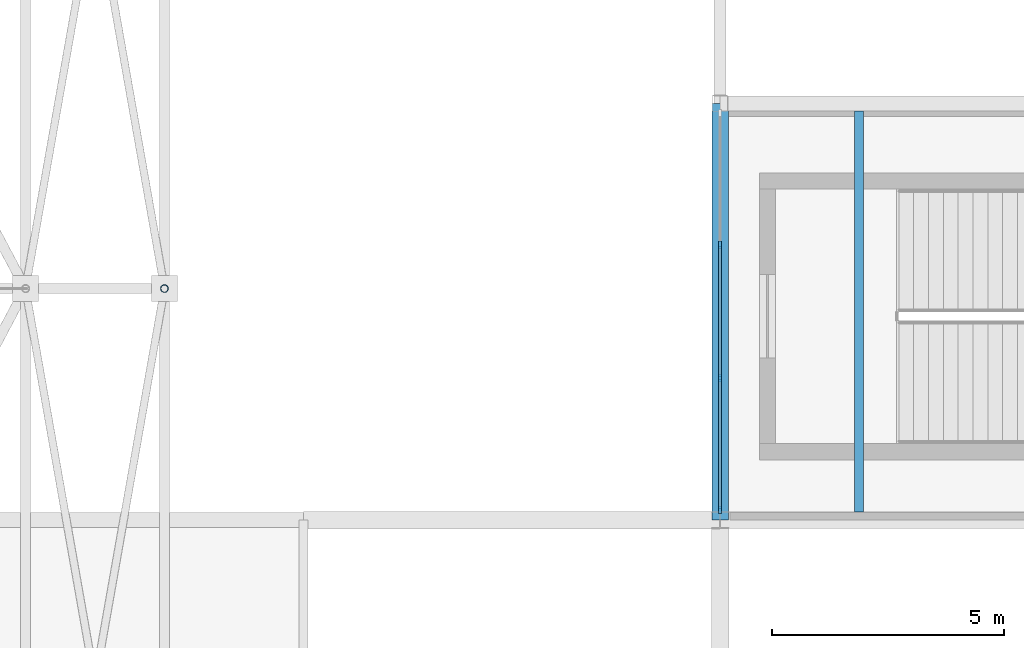
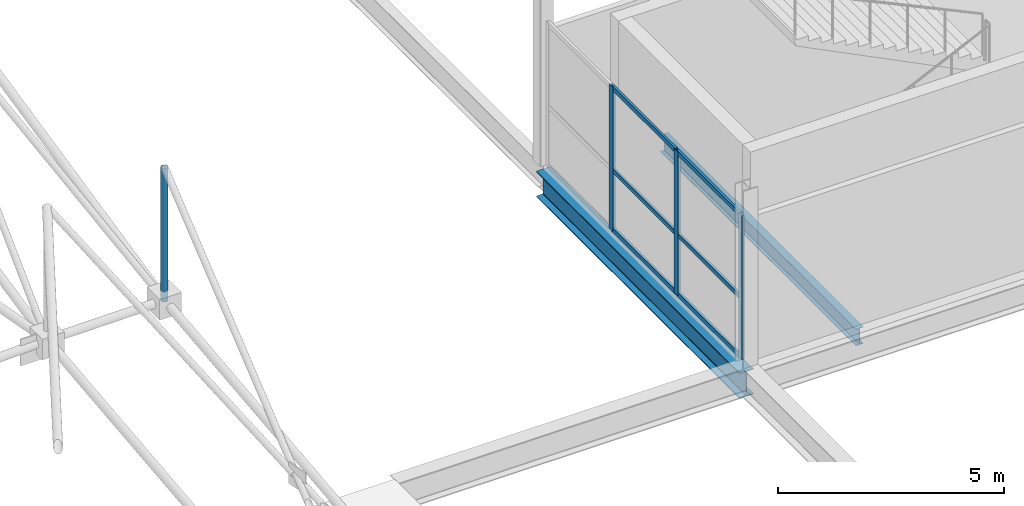
# One storey, part 148 of 224: 10 members, 2 beams, 1 element without a shape of its own.
"""IFC4 building model written with IfcOpenShell, lengths in metres."""

from ifc_helpers import new_model, si_unit, direction, frame, origin, origin_2d, place, context, subcontext, project, spatial, rectangle, hollow_circle, i_section, extrude, material, layer, layer_set, material_profile, profile_set, type_object, element, aggregate, save


model = new_model("IFC4")

# Units and contexts
model_context = context("Model", 3, precision=1e-05, world=origin(), true_north=direction((0.0, 1.0)))
body_context = subcontext(model_context, "Body", "Model", "MODEL_VIEW")
ifc_project = project(units=[si_unit("LENGTHUNIT", "METRE"), si_unit("AREAUNIT", "SQUARE_METRE"), si_unit("VOLUMEUNIT", "CUBIC_METRE"), si_unit("PLANEANGLEUNIT", "RADIAN"), si_unit("MASSUNIT", "GRAM", prefix="KILO")], contexts=[model_context])

# Site, building, storey
site_placement = place(None, origin())
site = spatial("IfcSite", under=ifc_project, at=site_placement, CompositionType="ELEMENT")
building_placement = place(site_placement, origin())
building = spatial("IfcBuilding", under=site, at=building_placement, Name="Qamarlyn Nura Convention Centre", CompositionType="ELEMENT")
storey_placement = place(building_placement, frame((0.0, 0.0, 10.800048828125)))
storey = spatial("IfcBuildingStorey", under=building, at=storey_placement, Name="L02", CompositionType="ELEMENT", Elevation=10.800048828125)

# Beams
ifc_material_1 = material(Name="Steel ASTM A992", Category="steel")
ifc_material_profile_1 = material_profile(ifc_material_1, i_section(OverallWidth=0.35498046875, OverallDepth=0.695068359375, WebThickness=0.015380859375, FlangeThickness=0.02490234375, FilletRadius=0.01806640625, at=origin_2d()), Name="W690X217")
ifc_profile_set_1 = profile_set([ifc_material_profile_1], Name="Steel ASTM A992")
beam_type_1 = type_object("IfcBeamType", Name="BM-GIRD-690A", PredefinedType="BEAM", material=ifc_profile_set_1)
beam_1_placement = place(storey_placement, frame((144.0, 81.0, -0.567626953125), z_axis=(0.0, 1.0, 0.0), x_axis=(-1.0, 0.0, 0.0)))
element("IfcBeam", 1, at=beam_1_placement, inside=storey, type_object=beam_type_1, Name="L02 girder 12 K-L", PredefinedType="BEAM", context=body_context, shape_type="SweptSolid", body=[
    extrude(i_section(OverallWidth=0.35498046875, OverallDepth=0.695068359375, WebThickness=0.015380859375, FlangeThickness=0.02490234375, FilletRadius=0.01806640625, at=origin_2d()), origin(), (0.0, 0.0, 1.0), 9.0),
])
ifc_material_profile_2 = material_profile(ifc_material_1, i_section(OverallWidth=0.18994140625, OverallDepth=0.45703125, WebThickness=0.009033203125, FlangeThickness=0.014404296875, FilletRadius=0.012939453125, at=origin_2d()), Name="W460X74")
ifc_profile_set_2 = profile_set([ifc_material_profile_2], Name="Steel ASTM A992")
beam_type_2 = type_object("IfcBeamType", Name="BM-JOIST-460", PredefinedType="JOIST", material=ifc_profile_set_2)
beam_2_placement = place(storey_placement, frame((147.0, 81.177490234375, -0.448486328125), z_axis=(0.0, 1.0, 0.0), x_axis=(-1.0, 0.0, 0.0)))
element("IfcBeam", 2, at=beam_2_placement, inside=storey, type_object=beam_type_2, Name="L02 secondary joist 12-13/K-L-01", PredefinedType="JOIST", context=body_context, shape_type="SweptSolid", body=[
    extrude(i_section(OverallWidth=0.18994140625, OverallDepth=0.45703125, WebThickness=0.009033203125, FlangeThickness=0.014404296875, FilletRadius=0.012939453125, at=origin_2d()), origin(), (0.0, 0.0, 1.0), 8.660400390625),
])

# Curtain wall, members
ifc_material_2 = material(Name="Double-silver low-E insulated glass", Category="glass")
ifc_layer = layer(ifc_material_2, 0.179931640625, Name="CW-UNIT-111")
ifc_layer_set = layer_set([ifc_layer], Name="Double-silver low-E insulated glass")
curtain_wall_type = type_object("IfcCurtainWallType", Name="CW-UNIT-111", PredefinedType="NOTDEFINED", material=ifc_layer_set)
curtain_wall_placement = place(storey_placement, origin())
curtain_wall = element("IfcCurtainWall", 3, at=curtain_wall_placement, inside=storey, type_object=curtain_wall_type, Name="L02 unitised curtain wall PLW-81-1", PredefinedType="NOTDEFINED")
ifc_material_3 = material(Name="Champagne-anodised marine aluminium", Category="aluminium")
ifc_material_profile_3 = material_profile(ifc_material_3, rectangle(XDim=0.06494140625, YDim=0.159912109375, at=origin_2d()), Name="ALU MULLION 65x160")
ifc_profile_set_3 = profile_set([ifc_material_profile_3], Name="Champagne-anodised marine aluminium")
member_type_1 = type_object("IfcMemberType", Name="CWM-160", PredefinedType="MULLION", material=ifc_profile_set_3)
member_1_placement = place(storey_placement, frame((144.0, 81.218505859375, 0.0), z_axis=(0.0, 0.0, 1.0), x_axis=(-1.0, 0.0, 0.0)))
member_1 = element("IfcMember", 4, at=member_1_placement, type_object=member_type_1, Name="CW111 mullion 1", PredefinedType="MULLION", context=body_context, shape_type="SweptSolid", body=[
    extrude(rectangle(XDim=0.06494140625, YDim=0.159912109375, at=origin_2d()), origin(), (0.0, 0.0, 1.0), 3.889892578125),
])
member_2_placement = place(storey_placement, frame((144.0, 84.065673828125, 0.0), z_axis=(0.0, 0.0, 1.0), x_axis=(-1.0, 0.0, 0.0)))
member_2 = element("IfcMember", 5, at=member_2_placement, type_object=member_type_1, Name="CW111 mullion 2", PredefinedType="MULLION", context=body_context, shape_type="SweptSolid", body=[
    extrude(rectangle(XDim=0.06494140625, YDim=0.159912109375, at=origin_2d()), origin(), (0.0, 0.0, 1.0), 3.889892578125),
])
member_3_placement = place(storey_placement, frame((144.0, 86.9453125, 0.0), z_axis=(0.0, 0.0, 1.0), x_axis=(-1.0, 0.0, 0.0)))
member_3 = element("IfcMember", 6, at=member_3_placement, type_object=member_type_1, Name="CW111 mullion 3", PredefinedType="MULLION", context=body_context, shape_type="SweptSolid", body=[
    extrude(rectangle(XDim=0.06494140625, YDim=0.159912109375, at=origin_2d()), origin(), (0.0, 0.0, 1.0), 3.889892578125),
])
ifc_material_profile_4 = material_profile(ifc_material_3, rectangle(XDim=0.06494140625, YDim=0.1201171875, at=origin_2d()), Name="ALU TRANSOM 65x120")
ifc_profile_set_4 = profile_set([ifc_material_profile_4], Name="Champagne-anodised marine aluminium")
member_type_2 = type_object("IfcMemberType", Name="CWT-120", PredefinedType="USERDEFINED", material=ifc_profile_set_4)
member_4_placement = place(storey_placement, frame((144.0, 81.2509765625, 0.032470703125), z_axis=(0.0, 1.0, 0.0), x_axis=(-1.0, 0.0, 0.0)))
member_4 = element("IfcMember", 7, at=member_4_placement, type_object=member_type_2, Name="CW111 transom 1.1", ObjectType="TRANSOM", PredefinedType="USERDEFINED", context=body_context, shape_type="SweptSolid", body=[
    extrude(rectangle(XDim=0.06494140625, YDim=0.1201171875, at=origin_2d()), origin(), (0.0, 0.0, 1.0), 2.7822265625),
])
member_5_placement = place(storey_placement, frame((144.0, 81.2509765625, 1.634033203125), z_axis=(0.0, 1.0, 0.0), x_axis=(-1.0, 0.0, 0.0)))
member_5 = element("IfcMember", 8, at=member_5_placement, type_object=member_type_2, Name="CW111 transom 1.2", ObjectType="TRANSOM", PredefinedType="USERDEFINED", context=body_context, shape_type="SweptSolid", body=[
    extrude(rectangle(XDim=0.06494140625, YDim=0.1201171875, at=origin_2d()), origin(), (0.0, 0.0, 1.0), 2.7822265625),
])
member_6_placement = place(storey_placement, frame((144.0, 81.2509765625, 3.857421875), z_axis=(0.0, 1.0, 0.0), x_axis=(-1.0, 0.0, 0.0)))
member_6 = element("IfcMember", 9, at=member_6_placement, type_object=member_type_2, Name="CW111 transom 1.3", ObjectType="TRANSOM", PredefinedType="USERDEFINED", context=body_context, shape_type="SweptSolid", body=[
    extrude(rectangle(XDim=0.06494140625, YDim=0.1201171875, at=origin_2d()), origin(), (0.0, 0.0, 1.0), 2.7822265625),
])
member_7_placement = place(storey_placement, frame((144.0, 84.09814453125, 0.032470703125), z_axis=(0.0, 1.0, 0.0), x_axis=(-1.0, 0.0, 0.0)))
member_7 = element("IfcMember", 10, at=member_7_placement, type_object=member_type_2, Name="CW111 transom 2.1", ObjectType="TRANSOM", PredefinedType="USERDEFINED", context=body_context, shape_type="SweptSolid", body=[
    extrude(rectangle(XDim=0.06494140625, YDim=0.1201171875, at=origin_2d()), origin(), (0.0, 0.0, 1.0), 2.814697265625),
])
member_8_placement = place(storey_placement, frame((144.0, 84.09814453125, 1.634033203125), z_axis=(0.0, 1.0, 0.0), x_axis=(-1.0, 0.0, 0.0)))
member_8 = element("IfcMember", 11, at=member_8_placement, type_object=member_type_2, Name="CW111 transom 2.2", ObjectType="TRANSOM", PredefinedType="USERDEFINED", context=body_context, shape_type="SweptSolid", body=[
    extrude(rectangle(XDim=0.06494140625, YDim=0.1201171875, at=origin_2d()), origin(), (0.0, 0.0, 1.0), 2.814697265625),
])
member_9_placement = place(storey_placement, frame((144.0, 84.09814453125, 3.857421875), z_axis=(0.0, 1.0, 0.0), x_axis=(-1.0, 0.0, 0.0)))
member_9 = element("IfcMember", 12, at=member_9_placement, type_object=member_type_2, Name="CW111 transom 2.3", ObjectType="TRANSOM", PredefinedType="USERDEFINED", context=body_context, shape_type="SweptSolid", body=[
    extrude(rectangle(XDim=0.06494140625, YDim=0.1201171875, at=origin_2d()), origin(), (0.0, 0.0, 1.0), 2.814697265625),
])
aggregate(curtain_wall, [member_1, member_2, member_3, member_4, member_5, member_6, member_7, member_8, member_9])

# Member
ifc_material_4 = material(Name="Pearl-white PVDF steel ASTM A500 Grade C", Category="steel")
ifc_material_profile_5 = material_profile(ifc_material_4, hollow_circle(Radius=0.084228515625, WallThickness=0.008056640625, at=origin_2d()), Name="CHS168.3X8")
ifc_profile_set_5 = profile_set([ifc_material_profile_5], Name="Pearl-white PVDF steel ASTM A500 Grade C")
member_type_3 = type_object("IfcMemberType", Name="SF-WEB-STD", PredefinedType="BRACE", material=ifc_profile_set_5)
member_10_placement = place(storey_placement, frame((132.0, 86.0, 2.857666015625), z_axis=(0.0, 0.0, 1.0), x_axis=(1.0, 0.0, 0.0)))
element("IfcMember", 13, at=member_10_placement, inside=storey, type_object=member_type_3, Name="ROOF TRUSS space frame vertical 12-6", PredefinedType="BRACE", context=body_context, shape_type="SweptSolid", body=[
    extrude(hollow_circle(Radius=0.084228515625, WallThickness=0.008056640625, at=origin_2d()), origin(), (0.0, 0.0, 1.0), 3.599853515625),
])

save(model, "model.ifc")
